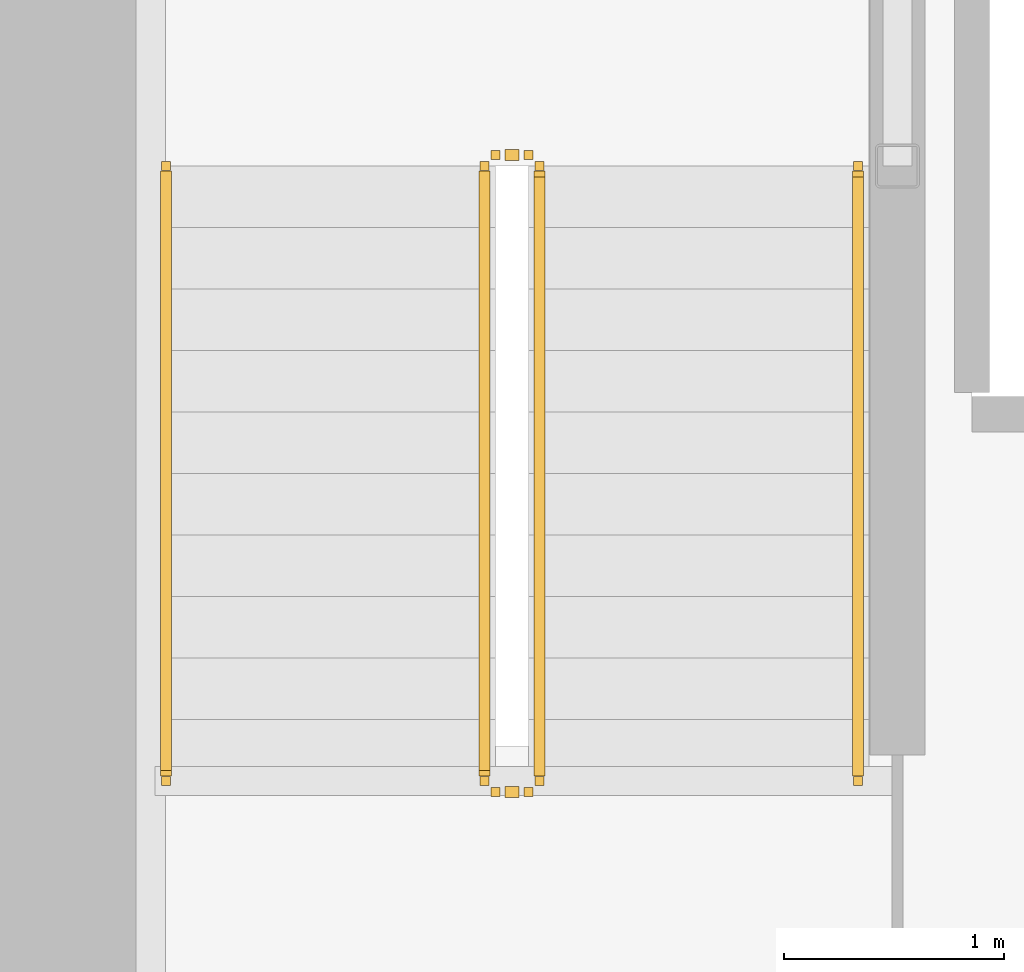
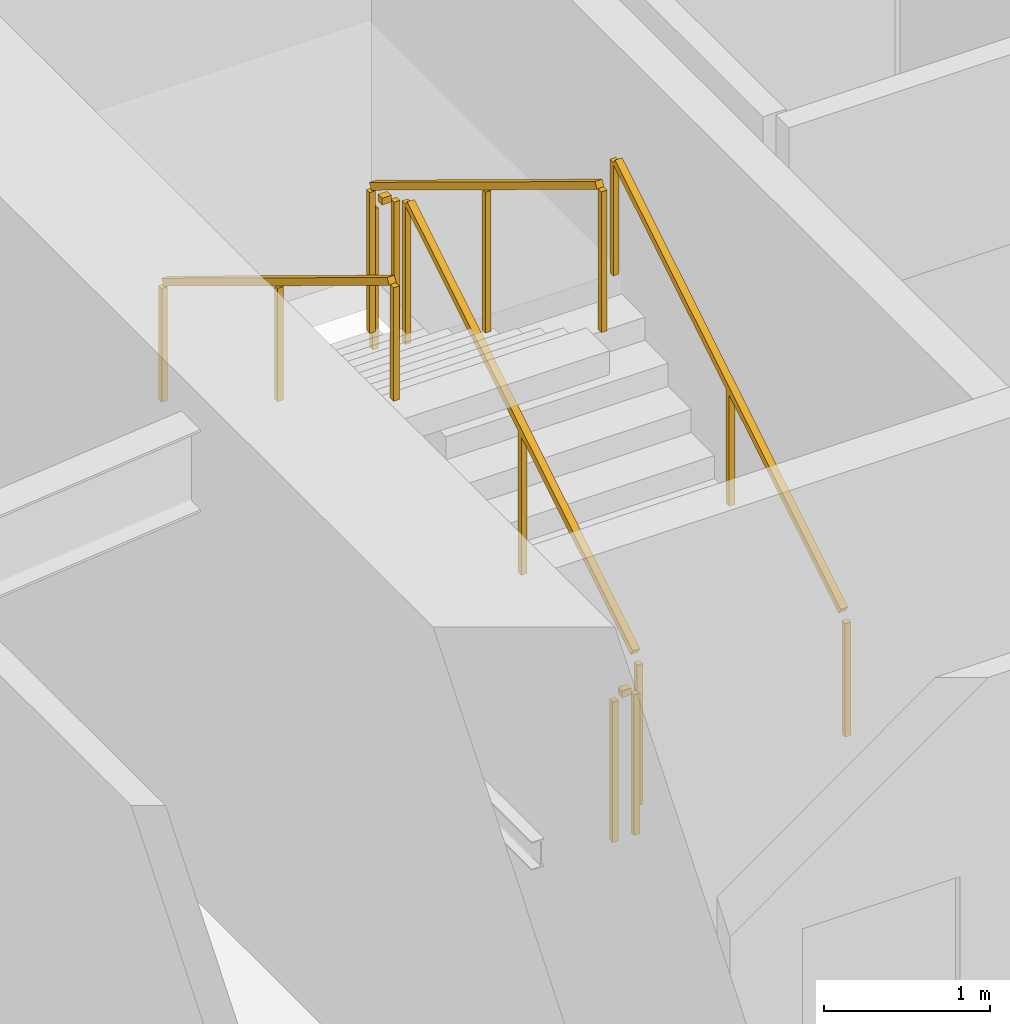
# One storey, part 26 of 31: 6 railings.
"""IFC4 building model written with IfcOpenShell, lengths in metres."""

import ifcopenshell
import ifcopenshell.guid

model = None  # the IFC model being written
_history = None  # IfcOwnerHistory: only IFC2X3 demands one
_inside = {}  # id of a spatial element -> (the spatial element, [elements in it])
_under = {}  # id of a project, library or spatial element -> (it, [spatial elements below it])
_declared = {}  # id of a project -> (the project, [libraries it declares])
_typed = {}  # id of a type object -> (the type object, [elements of that type])
_made_of = {}  # id of a material, layer set ... -> (it, [elements and type objects made of it])


def new_model(schema):
    """Start an empty IFC model of exactly this schema.

    Asked for "IFC4X3", IfcOpenShell would pick the latest addendum, in which some entities
    have other attributes; the version numbers below select the first issue.
    IFC2X3 requires an IfcOwnerHistory on every rooted entity: one is made here for all.
    """
    global model, _history
    if schema == "IFC4X3":
        model = ifcopenshell.file(schema_version=(4, 3, 0, 0))
    else:
        model = ifcopenshell.file(schema=schema)
    _inside.clear()
    _under.clear()
    _declared.clear()
    _typed.clear()
    _made_of.clear()
    _history = None
    if model.schema == "IFC2X3":
        org = make("IfcOrganization", Name="unknown")
        user = make(
            "IfcPersonAndOrganization",
            ThePerson=make("IfcPerson", FamilyName="unknown"),
            TheOrganization=org,
        )
        app = make(
            "IfcApplication",
            ApplicationDeveloper=org,
            Version="unknown",
            ApplicationFullName="unknown",
            ApplicationIdentifier="unknown",
        )
        _history = make(
            "IfcOwnerHistory",
            OwningUser=user,
            OwningApplication=app,
            ChangeAction="ADDED",
            CreationDate=0,
        )
    return model


def make(cls, **values):
    """One entity of the class cls with the attributes given. An attribute that is None is left unset."""
    return model.create_entity(
        cls, **{name: value for name, value in values.items() if value is not None}
    )


def rooted(cls, **values):
    """An entity with a GlobalId (a new one), such as an element, a storey or a relation."""
    return make(cls, GlobalId=ifcopenshell.guid.new(), OwnerHistory=_history, **values)


def si_unit(unit_type, name, prefix=None):
    """IfcSIUnit, for example si_unit("LENGTHUNIT", "METRE", prefix="MILLI")."""
    return make("IfcSIUnit", UnitType=unit_type, Prefix=prefix, Name=name)


def assignment(units):
    """IfcUnitAssignment: the units of a project."""
    return None if units is None else make("IfcUnitAssignment", Units=units)


def point(xyz):
    """IfcCartesianPoint."""
    return None if xyz is None else make("IfcCartesianPoint", Coordinates=xyz)


def direction(xyz):
    """IfcDirection."""
    return None if xyz is None else make("IfcDirection", DirectionRatios=xyz)


def frame(location, z_axis=None, x_axis=None):
    """IfcAxis2Placement3D, a coordinate frame: its origin and axes. An axis left out is left unset."""
    return make(
        "IfcAxis2Placement3D",
        Location=point(location),
        Axis=direction(z_axis),
        RefDirection=direction(x_axis),
    )


def frame_2d(location, x_axis=None):
    """IfcAxis2Placement2D, a coordinate frame in the plane: its origin and x axis."""
    return make(
        "IfcAxis2Placement2D", Location=point(location), RefDirection=direction(x_axis)
    )


def origin():
    """The frame at (0, 0, 0) with its axes left unset."""
    return frame((0.0, 0.0, 0.0))


def origin_2d():
    """The frame at (0, 0) in the plane with its x axis left unset."""
    return frame_2d((0.0, 0.0))


def place(relative_to, where):
    """IfcLocalPlacement: puts the frame where relative to a parent placement (None: the world)."""
    return make(
        "IfcLocalPlacement", PlacementRelTo=relative_to, RelativePlacement=where
    )


def context(
    kind, dimensions, precision=None, world=None, true_north=None, identifier=None
):
    """IfcGeometricRepresentationContext, for example the 3D "Model" context."""
    return make(
        "IfcGeometricRepresentationContext",
        ContextIdentifier=identifier,
        ContextType=kind,
        CoordinateSpaceDimension=dimensions,
        Precision=precision,
        WorldCoordinateSystem=world,
        TrueNorth=true_north,
    )


def subcontext(parent, identifier, kind, view, scale=None):
    """IfcGeometricRepresentationSubContext, for example "Body" below "Model"."""
    return make(
        "IfcGeometricRepresentationSubContext",
        ContextIdentifier=identifier,
        ContextType=kind,
        ParentContext=parent,
        TargetScale=scale,
        TargetView=view,
    )


def project(units=None, contexts=None):
    """IfcProject with its units and contexts."""
    return rooted(
        "IfcProject",
        Name="project",
        RepresentationContexts=contexts,
        UnitsInContext=assignment(units),
    )


def spatial(cls, under=None, at=None, **own):
    """A site, building, storey or space (cls), placed at a placement, below another one or the project."""
    s = rooted(cls, ObjectPlacement=at, **own)
    if under is not None:
        _under.setdefault(under.id(), (under, []))[1].append(s)
    return s


def profile(cls, at=None, kind="AREA", **sizes):
    """A parametric profile (cls). Its sizes go by their IFC names, for example OverallWidth=200.0."""
    return make(cls, ProfileType=kind, Position=at, **sizes)


def rectangle(**sizes):
    """IfcRectangleProfileDef."""
    return profile("IfcRectangleProfileDef", **sizes)


def extrude(swept, where, along, depth):
    """IfcExtrudedAreaSolid: the profile swept, set in the frame where, extruded along a direction by depth."""
    return make(
        "IfcExtrudedAreaSolid",
        SweptArea=swept,
        Position=where,
        ExtrudedDirection=direction(along),
        Depth=depth,
    )


def shape(context_of_items, identifier, shape_type, items):
    """IfcShapeRepresentation: the items that make up one representation, for example the "Body"."""
    return make(
        "IfcShapeRepresentation",
        ContextOfItems=context_of_items,
        RepresentationIdentifier=identifier,
        RepresentationType=shape_type,
        Items=items,
    )


def material(Name=None, Category=None):
    """IfcMaterial."""
    return make("IfcMaterial", Name=Name, Category=Category)


def made_of(thing, what):
    """Note that an element or type object is made of a material, layer set ...; save() writes the relation."""
    if what is not None:
        _made_of.setdefault(what.id(), (what, []))[1].append(thing)
    return thing


def type_object(cls, material=None, **own):
    """A type object (cls), such as IfcWallType, which elements share."""
    return made_of(rooted(cls, **own), material)


def element(
    cls,
    number,
    at=None,
    inside=None,
    cuts=None,
    type_object=None,
    material=None,
    context=None,
    identifier="Body",
    shape_type=None,
    held_by="IfcProductDefinitionShape",
    body=None,
    shapes=None,
    **own,
):
    """One element of the class cls, such as IfcWall. Its Tag is "e" and its number.

    at: its placement. inside: the storey or other place that contains it. cuts: it is an
    opening in that element (IfcRelVoidsElement). A single representation is given by context,
    identifier, shape_type and body (its items); several are given by shapes. held_by: the class
    of the entity that holds the representations. save() writes the other relations.
    """
    e = rooted(cls, Tag="e%d" % number, ObjectPlacement=at, **own)
    if body is not None:
        shapes = [shape(context, identifier, shape_type, body)]
    if shapes is not None:
        e.Representation = make(held_by, Representations=shapes)
    if inside is not None:
        _inside.setdefault(inside.id(), (inside, []))[1].append(e)
    if cuts is not None:
        rooted(
            "IfcRelVoidsElement", RelatingBuildingElement=cuts, RelatedOpeningElement=e
        )
    if type_object is not None:
        _typed.setdefault(type_object.id(), (type_object, []))[1].append(e)
    return made_of(e, material)


def aggregate(whole, parts):
    """IfcRelAggregates: a whole, such as a stair, and the parts it consists of."""
    return rooted("IfcRelAggregates", RelatingObject=whole, RelatedObjects=parts)


def save(model, path):
    """Write the relations noted so far, then the file.

    IfcRelAggregates (storeys below a building ...), IfcRelContainedInSpatialStructure (elements
    in a storey), IfcRelDefinesByType, IfcRelAssociatesMaterial and IfcRelDeclares: one each for
    every whole, place, type object, material and project.
    """
    for whole, parts in _under.values():
        aggregate(whole, parts)
    for where, things in _inside.values():
        rooted(
            "IfcRelContainedInSpatialStructure",
            RelatedElements=things,
            RelatingStructure=where,
        )
    for kind, things in _typed.values():
        rooted("IfcRelDefinesByType", RelatedObjects=things, RelatingType=kind)
    for what, things in _made_of.values():
        rooted("IfcRelAssociatesMaterial", RelatedObjects=things, RelatingMaterial=what)
    for by, libraries in _declared.values():
        rooted("IfcRelDeclares", RelatingContext=by, RelatedDefinitions=libraries)
    model.write(path)


model = new_model("IFC4")

# Units and contexts
model_context = context("Model", 3, precision=1e-05, world=origin(), true_north=direction((0.0, 1.0)))
body_context = subcontext(model_context, "Body", "Model", "MODEL_VIEW")
ifc_project = project(units=[si_unit("LENGTHUNIT", "METRE"), si_unit("AREAUNIT", "SQUARE_METRE"), si_unit("VOLUMEUNIT", "CUBIC_METRE"), si_unit("PLANEANGLEUNIT", "RADIAN"), si_unit("MASSUNIT", "GRAM", prefix="KILO")], contexts=[model_context])

# Site, building, storey
site_placement = place(None, origin())
site = spatial("IfcSite", under=ifc_project, at=site_placement, CompositionType="ELEMENT")
building_placement = place(site_placement, origin())
building = spatial("IfcBuilding", under=site, at=building_placement, Name="Kazma Halo Residences", CompositionType="ELEMENT")
storey_placement = place(building_placement, frame((0.0, 0.0, 60.14990234375)))
storey = spatial("IfcBuildingStorey", under=building, at=storey_placement, Name="L14", CompositionType="ELEMENT", Elevation=60.14990234375)

# Railings
ifc_material_1 = material(Name="Painted Steel S355", Category="steel")
railing_type_1 = type_object("IfcRailingType", Name="RLG-STAIR-GRD-1100", PredefinedType="GUARDRAIL", material=ifc_material_1)
railing_1_placement = place(storey_placement, frame((39.550048828125, 39.949951171875, 0.170654296875)))
element("IfcRailing", 1, at=railing_1_placement, inside=storey, type_object=railing_type_1, Name="L14 ST-01 stair guard 1", PredefinedType="GUARDRAIL", context=body_context, shape_type="SweptSolid", body=[
    extrude(rectangle(XDim=0.050048828125, YDim=0.050048828125, at=origin_2d()), frame((0.0, 0.036376953125, 1.09716796875), z_axis=(0.0, 0.854202870247, 0.519939858505), x_axis=(-1.0, 0.0, 0.0)), (0.0, 0.0, 1.0), 3.19287109375),
    extrude(rectangle(XDim=0.0400390625, YDim=0.0400390625, at=origin_2d()), origin(), (0.0, 0.0, 1.0), 1.0380859375),
    extrude(rectangle(XDim=0.0400390625, YDim=0.0400390625, at=origin_2d()), frame((0.0, 1.39990234375, 0.85205078125)), (0.0, 0.0, 1.0), 1.0380859375),
    extrude(rectangle(XDim=0.0400390625, YDim=0.0400390625, at=origin_2d()), frame((0.0, 2.800048828125, 1.704345703125)), (0.0, 0.0, 1.0), 1.0380859375),
])
railing_2_placement = place(storey_placement, frame((39.5, 42.800048828125, 1.875)))
element("IfcRailing", 2, at=railing_2_placement, inside=storey, type_object=railing_type_1, Name="L14 ST-01 stair guard 2", PredefinedType="GUARDRAIL", context=body_context, shape_type="SweptSolid", body=[
    extrude(rectangle(XDim=0.050048828125, YDim=0.050048828125, at=origin_2d()), frame((-0.04248046875, 0.0, 1.0751953125), z_axis=(-1.0, 0.0, 0.0), x_axis=(0.0, -1.0, 0.0)), (0.0, 0.0, 1.0), 0.06494140625),
    extrude(rectangle(XDim=0.0400390625, YDim=0.0400390625, at=origin_2d()), origin(), (0.0, 0.0, 1.0), 1.0380859375),
    extrude(rectangle(XDim=0.0400390625, YDim=0.0400390625, at=origin_2d()), frame((-0.14990234375, 0.0, 0.0)), (0.0, 0.0, 1.0), 1.0380859375),
])
railing_3_placement = place(storey_placement, frame((39.300048828125, 42.75, 2.045654296875)))
element("IfcRailing", 3, at=railing_3_placement, inside=storey, type_object=railing_type_1, Name="L14 ST-01 stair guard 3", PredefinedType="GUARDRAIL", context=body_context, shape_type="SweptSolid", body=[
    extrude(rectangle(XDim=0.050048828125, YDim=0.050048828125, at=origin_2d()), frame((0.0, -0.036376953125, 1.09716796875), z_axis=(0.0, -0.854202870247, 0.519939858505), x_axis=(1.0, 0.0, 0.0)), (0.0, 0.0, 1.0), 3.19287109375),
    extrude(rectangle(XDim=0.0400390625, YDim=0.0400390625, at=origin_2d()), origin(), (0.0, 0.0, 1.0), 1.0380859375),
    extrude(rectangle(XDim=0.0400390625, YDim=0.0400390625, at=origin_2d()), frame((0.0, -1.39990234375, 0.85205078125)), (0.0, 0.0, 1.0), 1.0380859375),
    extrude(rectangle(XDim=0.0400390625, YDim=0.0400390625, at=origin_2d()), frame((0.0, -2.800048828125, 1.704345703125)), (0.0, 0.0, 1.0), 1.0380859375),
])
railing_4_placement = place(storey_placement, frame((39.5, 39.89990234375, 0.0)))
element("IfcRailing", 4, at=railing_4_placement, inside=storey, type_object=railing_type_1, Name="L14 ST-01 stair guard 4", PredefinedType="GUARDRAIL", context=body_context, shape_type="SweptSolid", body=[
    extrude(rectangle(XDim=0.050048828125, YDim=0.050048828125, at=origin_2d()), frame((-0.04248046875, 0.0, 1.0751953125), z_axis=(-1.0, 0.0, 0.0), x_axis=(0.0, -1.0, 0.0)), (0.0, 0.0, 1.0), 0.06494140625),
    extrude(rectangle(XDim=0.0400390625, YDim=0.0400390625, at=origin_2d()), origin(), (0.0, 0.0, 1.0), 1.0380859375),
    extrude(rectangle(XDim=0.0400390625, YDim=0.0400390625, at=origin_2d()), frame((-0.14990234375, 0.0, 0.0)), (0.0, 0.0, 1.0), 1.0380859375),
])
ifc_material_2 = material(Name="Brushed Stainless Steel", Category="steel")
railing_type_2 = type_object("IfcRailingType", Name="RLG-STAIR-HND-900", PredefinedType="HANDRAIL", material=ifc_material_2)
railing_5_placement = place(storey_placement, frame((41.0, 39.949951171875, 0.170654296875)))
element("IfcRailing", 5, at=railing_5_placement, inside=storey, type_object=railing_type_2, Name="L14 ST-01 stair handrail 1", PredefinedType="HANDRAIL", context=body_context, shape_type="SweptSolid", body=[
    extrude(rectangle(XDim=0.050048828125, YDim=0.050048828125, at=origin_2d()), frame((0.0, 0.036376953125, 0.89697265625), z_axis=(0.0, 0.854202870247, 0.519939858505), x_axis=(-1.0, 0.0, 0.0)), (0.0, 0.0, 1.0), 3.19287109375),
    extrude(rectangle(XDim=0.0400390625, YDim=0.0400390625, at=origin_2d()), origin(), (0.0, 0.0, 1.0), 0.837890625),
    extrude(rectangle(XDim=0.0400390625, YDim=0.0400390625, at=origin_2d()), frame((0.0, 1.39990234375, 0.85205078125)), (0.0, 0.0, 1.0), 0.837890625),
    extrude(rectangle(XDim=0.0400390625, YDim=0.0400390625, at=origin_2d()), frame((0.0, 2.800048828125, 1.704345703125)), (0.0, 0.0, 1.0), 0.837890625),
])
railing_6_placement = place(storey_placement, frame((37.85009765625, 42.75, 2.045654296875)))
element("IfcRailing", 6, at=railing_6_placement, inside=storey, type_object=railing_type_2, Name="L14 ST-01 stair handrail 2", PredefinedType="HANDRAIL", context=body_context, shape_type="SweptSolid", body=[
    extrude(rectangle(XDim=0.050048828125, YDim=0.050048828125, at=origin_2d()), frame((0.0, -0.036376953125, 0.89697265625), z_axis=(0.0, -0.854202870247, 0.519939858505), x_axis=(1.0, 0.0, 0.0)), (0.0, 0.0, 1.0), 3.19287109375),
    extrude(rectangle(XDim=0.0400390625, YDim=0.0400390625, at=origin_2d()), origin(), (0.0, 0.0, 1.0), 0.837890625),
    extrude(rectangle(XDim=0.0400390625, YDim=0.0400390625, at=origin_2d()), frame((0.0, -1.39990234375, 0.85205078125)), (0.0, 0.0, 1.0), 0.837890625),
    extrude(rectangle(XDim=0.0400390625, YDim=0.0400390625, at=origin_2d()), frame((0.0, -2.800048828125, 1.704345703125)), (0.0, 0.0, 1.0), 0.837890625),
])

save(model, "model.ifc")
